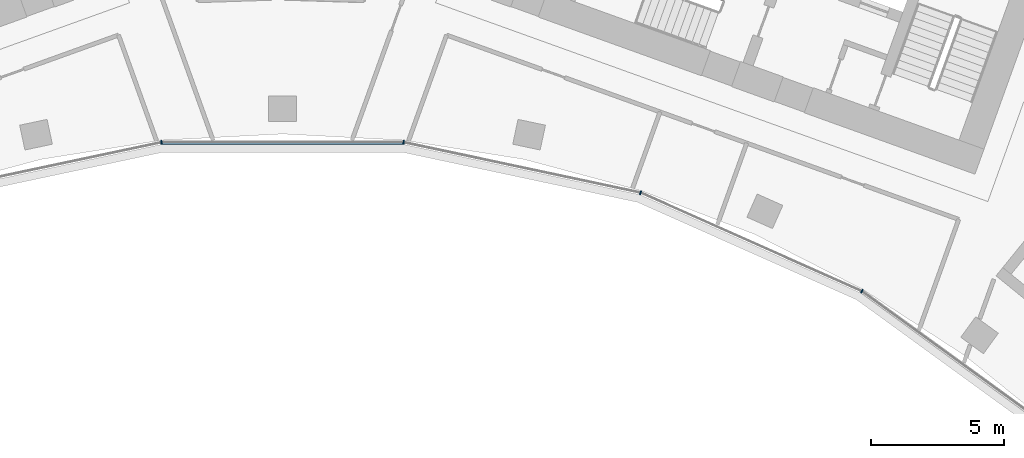
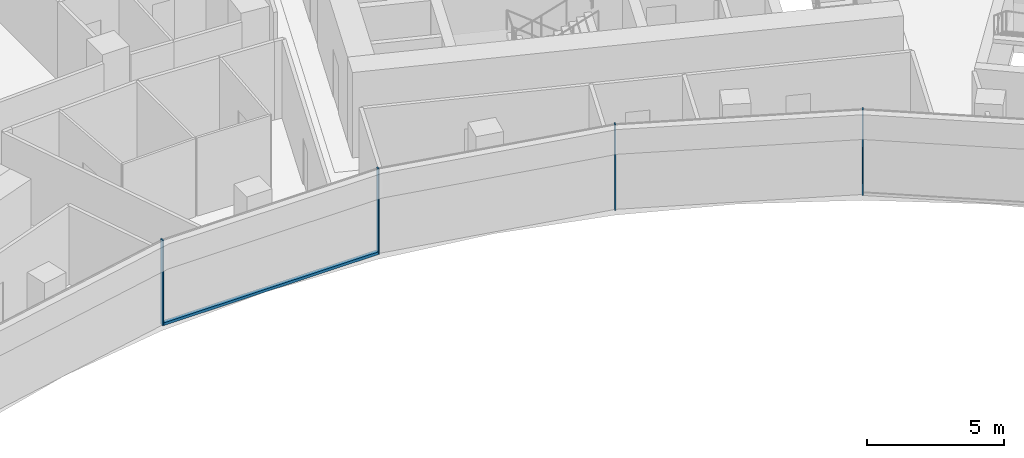
# One storey, part 4 of 18: 5 members, 1 element without a shape of its own.
"""IFC4 building model written with IfcOpenShell, lengths in metres."""

from ifc_helpers import new_model, si_unit, direction, frame, origin, origin_2d, place, context, subcontext, project, spatial, rectangle, extrude, material, layer, layer_set, material_profile, profile_set, type_object, element, aggregate, save


model = new_model("IFC4")

# Units and contexts
model_context = context("Model", 3, precision=1e-05, world=origin(), true_north=direction((0.0, 1.0)))
body_context = subcontext(model_context, "Body", "Model", "MODEL_VIEW")
ifc_project = project(units=[si_unit("LENGTHUNIT", "METRE"), si_unit("AREAUNIT", "SQUARE_METRE"), si_unit("VOLUMEUNIT", "CUBIC_METRE"), si_unit("PLANEANGLEUNIT", "RADIAN"), si_unit("MASSUNIT", "GRAM", prefix="KILO")], contexts=[model_context])

# Site, building, storey
site_placement = place(None, origin())
site = spatial("IfcSite", under=ifc_project, at=site_placement, CompositionType="ELEMENT")
building_placement = place(site_placement, origin())
building = spatial("IfcBuilding", under=site, at=building_placement, Name="Stone Belt Terrace Tower", CompositionType="ELEMENT")
storey_placement = place(building_placement, frame((0.0, 0.0, 239.0)))
storey = spatial("IfcBuildingStorey", under=building, at=storey_placement, Name="L58", CompositionType="ELEMENT", Elevation=239.0)

# Curtain wall, members
ifc_material = material(Name="Aluminium 6063-T6 anodised frame", Category="aluminium")
ifc_layer = layer(ifc_material, 0.14990234375)
ifc_layer_set = layer_set([ifc_layer], Name="CW-B unitised concave-face curtain wall")
curtain_wall_type = type_object("IfcCurtainWallType", Name="CW-B unitised concave-face curtain wall", PredefinedType="NOTDEFINED", material=ifc_layer_set)
curtain_wall_placement = place(storey_placement, origin())
curtain_wall = element("IfcCurtainWall", 1, at=curtain_wall_placement, inside=storey, type_object=curtain_wall_type, Name="CW-B concave face L58", PredefinedType="NOTDEFINED")
ifc_material_profile_1 = material_profile(ifc_material, rectangle(XDim=0.14990234375, YDim=0.050048828125, at=origin_2d()), Name="Aluminium 6063-T6 50x150")
ifc_profile_set_1 = profile_set([ifc_material_profile_1], Name="Aluminium 6063-T6 anodised frame")
member_type_1 = type_object("IfcMemberType", Name="CW-B mullion 50 x 150", PredefinedType="MULLION", material=ifc_profile_set_1)
member_1_placement = place(storey_placement, frame((-4.5390625, 43.186767578125, 0.0), z_axis=(0.0, 0.0, 1.0), x_axis=(-0.104528463268, 0.994521895368, 0.0)))
member_1 = element("IfcMember", 2, at=member_1_placement, type_object=member_type_1, Name="CW-B mullion 4", PredefinedType="MULLION", context=body_context, shape_type="SweptSolid", body=[
    extrude(rectangle(XDim=0.14990234375, YDim=0.050048828125, at=origin_2d()), origin(), (0.0, 0.0, 1.0), 3.800048828125),
])
member_2_placement = place(storey_placement, frame((4.5390625, 43.186767578125, 0.0), z_axis=(0.0, 0.0, 1.0), x_axis=(0.104528463268, 0.994521895368, 0.0)))
member_2 = element("IfcMember", 3, at=member_2_placement, type_object=member_type_1, Name="CW-B mullion 5", PredefinedType="MULLION", context=body_context, shape_type="SweptSolid", body=[
    extrude(rectangle(XDim=0.14990234375, YDim=0.050048828125, at=origin_2d()), origin(), (0.0, 0.0, 1.0), 3.800048828125),
])
member_3_placement = place(storey_placement, frame((13.4189453125, 41.29931640625, 0.0), z_axis=(0.0, 0.0, 1.0), x_axis=(0.309016994375, 0.951056516295, 0.0)))
member_3 = element("IfcMember", 4, at=member_3_placement, type_object=member_type_1, Name="CW-B mullion 6", PredefinedType="MULLION", context=body_context, shape_type="SweptSolid", body=[
    extrude(rectangle(XDim=0.14990234375, YDim=0.050048828125, at=origin_2d()), origin(), (0.0, 0.0, 1.0), 3.800048828125),
])
member_4_placement = place(storey_placement, frame((21.71240234375, 37.606689453125, 0.0), z_axis=(0.0, 0.0, 1.0), x_axis=(0.5, 0.866025403784, 0.0)))
member_4 = element("IfcMember", 5, at=member_4_placement, type_object=member_type_1, Name="CW-B mullion 7", PredefinedType="MULLION", context=body_context, shape_type="SweptSolid", body=[
    extrude(rectangle(XDim=0.14990234375, YDim=0.050048828125, at=origin_2d()), origin(), (0.0, 0.0, 1.0), 3.800048828125),
])
ifc_material_profile_2 = material_profile(ifc_material, rectangle(XDim=0.14990234375, YDim=0.1201171875, at=origin_2d()), Name="Aluminium 6063-T6 150x120")
ifc_profile_set_2 = profile_set([ifc_material_profile_2], Name="Aluminium 6063-T6 anodised frame")
member_type_2 = type_object("IfcMemberType", Name="CW-B transom 120 x 150", PredefinedType="USERDEFINED", material=ifc_profile_set_2)
member_5_placement = place(storey_placement, frame((-4.50634765625, 43.186767578125, 0.06005859375), z_axis=(1.0, 0.0, 0.0), x_axis=(0.0, 1.0, 0.0)))
member_5 = element("IfcMember", 6, at=member_5_placement, type_object=member_type_2, Name="CW-B transom 4.1", ObjectType="TRANSOM", PredefinedType="USERDEFINED", context=body_context, shape_type="SweptSolid", body=[
    extrude(rectangle(XDim=0.14990234375, YDim=0.1201171875, at=origin_2d()), origin(), (0.0, 0.0, 1.0), 9.0126953125),
])
aggregate(curtain_wall, [member_1, member_2, member_3, member_4, member_5])

save(model, "model.ifc")
